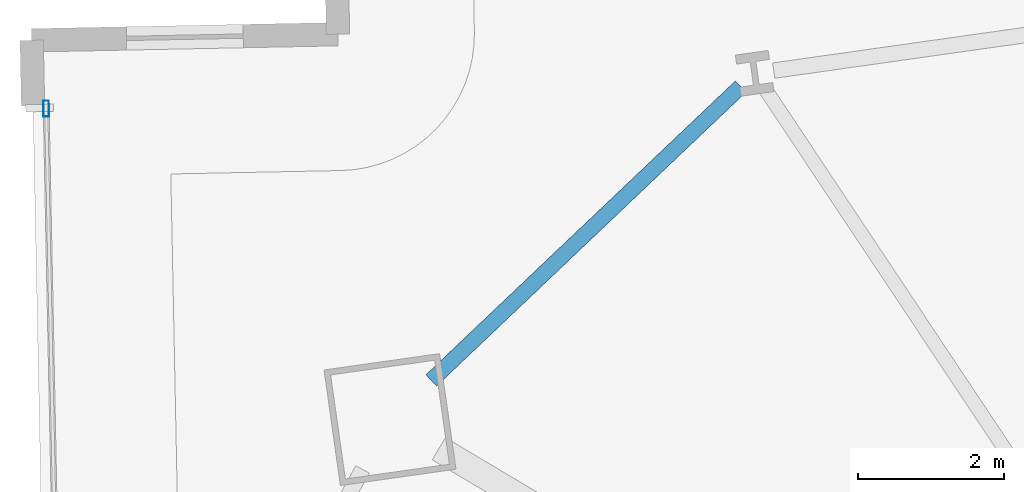
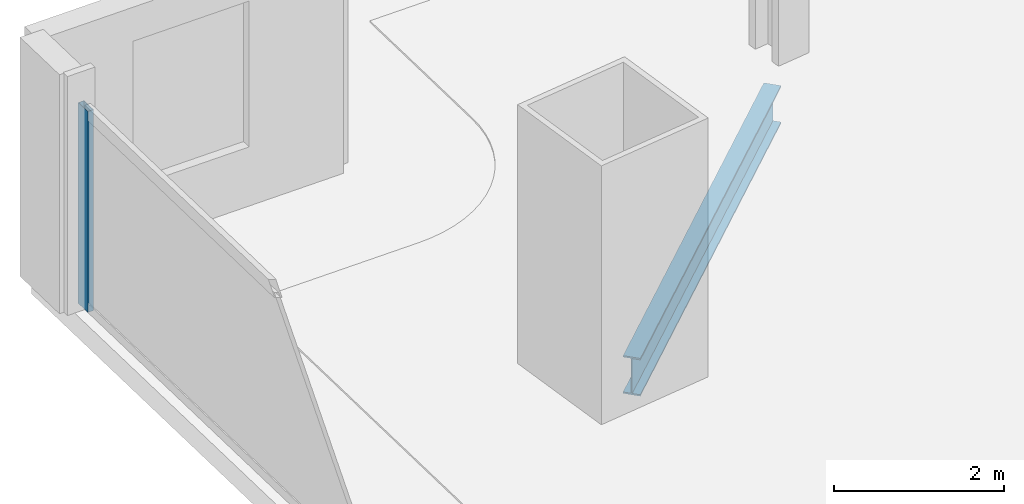
# One storey, part 18 of 35: 1 beam, 1 member, 1 element without a shape of its own.
"""IFC4 building model written with IfcOpenShell, lengths in metres."""

import ifcopenshell
import ifcopenshell.guid

model = None  # the IFC model being written
_history = None  # IfcOwnerHistory: only IFC2X3 demands one
_inside = {}  # id of a spatial element -> (the spatial element, [elements in it])
_under = {}  # id of a project, library or spatial element -> (it, [spatial elements below it])
_declared = {}  # id of a project -> (the project, [libraries it declares])
_typed = {}  # id of a type object -> (the type object, [elements of that type])
_made_of = {}  # id of a material, layer set ... -> (it, [elements and type objects made of it])


def new_model(schema):
    """Start an empty IFC model of exactly this schema.

    Asked for "IFC4X3", IfcOpenShell would pick the latest addendum, in which some entities
    have other attributes; the version numbers below select the first issue.
    IFC2X3 requires an IfcOwnerHistory on every rooted entity: one is made here for all.
    """
    global model, _history
    if schema == "IFC4X3":
        model = ifcopenshell.file(schema_version=(4, 3, 0, 0))
    else:
        model = ifcopenshell.file(schema=schema)
    _inside.clear()
    _under.clear()
    _declared.clear()
    _typed.clear()
    _made_of.clear()
    _history = None
    if model.schema == "IFC2X3":
        org = make("IfcOrganization", Name="unknown")
        user = make(
            "IfcPersonAndOrganization",
            ThePerson=make("IfcPerson", FamilyName="unknown"),
            TheOrganization=org,
        )
        app = make(
            "IfcApplication",
            ApplicationDeveloper=org,
            Version="unknown",
            ApplicationFullName="unknown",
            ApplicationIdentifier="unknown",
        )
        _history = make(
            "IfcOwnerHistory",
            OwningUser=user,
            OwningApplication=app,
            ChangeAction="ADDED",
            CreationDate=0,
        )
    return model


def make(cls, **values):
    """One entity of the class cls with the attributes given. An attribute that is None is left unset."""
    return model.create_entity(
        cls, **{name: value for name, value in values.items() if value is not None}
    )


def rooted(cls, **values):
    """An entity with a GlobalId (a new one), such as an element, a storey or a relation."""
    return make(cls, GlobalId=ifcopenshell.guid.new(), OwnerHistory=_history, **values)


def si_unit(unit_type, name, prefix=None):
    """IfcSIUnit, for example si_unit("LENGTHUNIT", "METRE", prefix="MILLI")."""
    return make("IfcSIUnit", UnitType=unit_type, Prefix=prefix, Name=name)


def assignment(units):
    """IfcUnitAssignment: the units of a project."""
    return None if units is None else make("IfcUnitAssignment", Units=units)


def point(xyz):
    """IfcCartesianPoint."""
    return None if xyz is None else make("IfcCartesianPoint", Coordinates=xyz)


def direction(xyz):
    """IfcDirection."""
    return None if xyz is None else make("IfcDirection", DirectionRatios=xyz)


def frame(location, z_axis=None, x_axis=None):
    """IfcAxis2Placement3D, a coordinate frame: its origin and axes. An axis left out is left unset."""
    return make(
        "IfcAxis2Placement3D",
        Location=point(location),
        Axis=direction(z_axis),
        RefDirection=direction(x_axis),
    )


def frame_2d(location, x_axis=None):
    """IfcAxis2Placement2D, a coordinate frame in the plane: its origin and x axis."""
    return make(
        "IfcAxis2Placement2D", Location=point(location), RefDirection=direction(x_axis)
    )


def origin():
    """The frame at (0, 0, 0) with its axes left unset."""
    return frame((0.0, 0.0, 0.0))


def origin_2d():
    """The frame at (0, 0) in the plane with its x axis left unset."""
    return frame_2d((0.0, 0.0))


def place(relative_to, where):
    """IfcLocalPlacement: puts the frame where relative to a parent placement (None: the world)."""
    return make(
        "IfcLocalPlacement", PlacementRelTo=relative_to, RelativePlacement=where
    )


def context(
    kind, dimensions, precision=None, world=None, true_north=None, identifier=None
):
    """IfcGeometricRepresentationContext, for example the 3D "Model" context."""
    return make(
        "IfcGeometricRepresentationContext",
        ContextIdentifier=identifier,
        ContextType=kind,
        CoordinateSpaceDimension=dimensions,
        Precision=precision,
        WorldCoordinateSystem=world,
        TrueNorth=true_north,
    )


def subcontext(parent, identifier, kind, view, scale=None):
    """IfcGeometricRepresentationSubContext, for example "Body" below "Model"."""
    return make(
        "IfcGeometricRepresentationSubContext",
        ContextIdentifier=identifier,
        ContextType=kind,
        ParentContext=parent,
        TargetScale=scale,
        TargetView=view,
    )


def project(units=None, contexts=None):
    """IfcProject with its units and contexts."""
    return rooted(
        "IfcProject",
        Name="project",
        RepresentationContexts=contexts,
        UnitsInContext=assignment(units),
    )


def spatial(cls, under=None, at=None, **own):
    """A site, building, storey or space (cls), placed at a placement, below another one or the project."""
    s = rooted(cls, ObjectPlacement=at, **own)
    if under is not None:
        _under.setdefault(under.id(), (under, []))[1].append(s)
    return s


def profile(cls, at=None, kind="AREA", **sizes):
    """A parametric profile (cls). Its sizes go by their IFC names, for example OverallWidth=200.0."""
    return make(cls, ProfileType=kind, Position=at, **sizes)


def hollow_rectangle(**sizes):
    """IfcRectangleHollowProfileDef."""
    return profile("IfcRectangleHollowProfileDef", **sizes)


def i_section(**sizes):
    """IfcIShapeProfileDef."""
    return profile("IfcIShapeProfileDef", **sizes)


def extrude(swept, where, along, depth):
    """IfcExtrudedAreaSolid: the profile swept, set in the frame where, extruded along a direction by depth."""
    return make(
        "IfcExtrudedAreaSolid",
        SweptArea=swept,
        Position=where,
        ExtrudedDirection=direction(along),
        Depth=depth,
    )


def shape(context_of_items, identifier, shape_type, items):
    """IfcShapeRepresentation: the items that make up one representation, for example the "Body"."""
    return make(
        "IfcShapeRepresentation",
        ContextOfItems=context_of_items,
        RepresentationIdentifier=identifier,
        RepresentationType=shape_type,
        Items=items,
    )


def material(Name=None, Category=None):
    """IfcMaterial."""
    return make("IfcMaterial", Name=Name, Category=Category)


def material_profile(
    of_material, cross_section, Name=None, Category=None, Priority=None
):
    """IfcMaterialProfile: a cross section and its material."""
    return make(
        "IfcMaterialProfile",
        Name=Name,
        Material=of_material,
        Profile=cross_section,
        Priority=Priority,
        Category=Category,
    )


def profile_set(profiles, Name=None, composite=None):
    """IfcMaterialProfileSet."""
    return make(
        "IfcMaterialProfileSet",
        Name=Name,
        MaterialProfiles=profiles,
        CompositeProfile=composite,
    )


def made_of(thing, what):
    """Note that an element or type object is made of a material, layer set ...; save() writes the relation."""
    if what is not None:
        _made_of.setdefault(what.id(), (what, []))[1].append(thing)
    return thing


def type_object(cls, material=None, **own):
    """A type object (cls), such as IfcWallType, which elements share."""
    return made_of(rooted(cls, **own), material)


def element(
    cls,
    number,
    at=None,
    inside=None,
    cuts=None,
    type_object=None,
    material=None,
    context=None,
    identifier="Body",
    shape_type=None,
    held_by="IfcProductDefinitionShape",
    body=None,
    shapes=None,
    **own,
):
    """One element of the class cls, such as IfcWall. Its Tag is "e" and its number.

    at: its placement. inside: the storey or other place that contains it. cuts: it is an
    opening in that element (IfcRelVoidsElement). A single representation is given by context,
    identifier, shape_type and body (its items); several are given by shapes. held_by: the class
    of the entity that holds the representations. save() writes the other relations.
    """
    e = rooted(cls, Tag="e%d" % number, ObjectPlacement=at, **own)
    if body is not None:
        shapes = [shape(context, identifier, shape_type, body)]
    if shapes is not None:
        e.Representation = make(held_by, Representations=shapes)
    if inside is not None:
        _inside.setdefault(inside.id(), (inside, []))[1].append(e)
    if cuts is not None:
        rooted(
            "IfcRelVoidsElement", RelatingBuildingElement=cuts, RelatedOpeningElement=e
        )
    if type_object is not None:
        _typed.setdefault(type_object.id(), (type_object, []))[1].append(e)
    return made_of(e, material)


def aggregate(whole, parts):
    """IfcRelAggregates: a whole, such as a stair, and the parts it consists of."""
    return rooted("IfcRelAggregates", RelatingObject=whole, RelatedObjects=parts)


def save(model, path):
    """Write the relations noted so far, then the file.

    IfcRelAggregates (storeys below a building ...), IfcRelContainedInSpatialStructure (elements
    in a storey), IfcRelDefinesByType, IfcRelAssociatesMaterial and IfcRelDeclares: one each for
    every whole, place, type object, material and project.
    """
    for whole, parts in _under.values():
        aggregate(whole, parts)
    for where, things in _inside.values():
        rooted(
            "IfcRelContainedInSpatialStructure",
            RelatedElements=things,
            RelatingStructure=where,
        )
    for kind, things in _typed.values():
        rooted("IfcRelDefinesByType", RelatedObjects=things, RelatingType=kind)
    for what, things in _made_of.values():
        rooted("IfcRelAssociatesMaterial", RelatedObjects=things, RelatingMaterial=what)
    for by, libraries in _declared.values():
        rooted("IfcRelDeclares", RelatingContext=by, RelatedDefinitions=libraries)
    model.write(path)


model = new_model("IFC4")

# Units and contexts
model_context = context("Model", 3, precision=1e-05, world=origin(), true_north=direction((0.0, 1.0)))
body_context = subcontext(model_context, "Body", "Model", "MODEL_VIEW")
ifc_project = project(units=[si_unit("LENGTHUNIT", "METRE"), si_unit("AREAUNIT", "SQUARE_METRE"), si_unit("VOLUMEUNIT", "CUBIC_METRE"), si_unit("PLANEANGLEUNIT", "RADIAN"), si_unit("MASSUNIT", "GRAM", prefix="KILO")], contexts=[model_context])

# Site, building, storey
site_placement = place(None, origin())
site = spatial("IfcSite", under=ifc_project, at=site_placement, CompositionType="ELEMENT")
building_placement = place(site_placement, origin())
building = spatial("IfcBuilding", under=site, at=building_placement, Name="Haldenkirk Collegiate Tower", CompositionType="ELEMENT")
storey_placement = place(building_placement, frame((0.0, 0.0, 32.699951171875)))
storey = spatial("IfcBuildingStorey", under=building, at=storey_placement, Name="L06", CompositionType="ELEMENT", Elevation=32.699951171875)

# Beam
ifc_material_1 = material(Name="Steel ASTM A992 Grade 50", Category="steel")
ifc_material_profile_1 = material_profile(ifc_material_1, i_section(OverallWidth=0.2119140625, OverallDepth=0.5439453125, WebThickness=0.01318359375, FlangeThickness=0.021240234375, at=origin_2d()), Name="W21X83")
ifc_profile_set_1 = profile_set([ifc_material_profile_1], Name="Steel ASTM A992 Grade 50")
beam_type = type_object("IfcBeamType", Name="BM-SPANDREL-W21X83", PredefinedType="SPANDREL", material=ifc_profile_set_1)
beam_placement = place(storey_placement, frame((18.28662109375, 46.619140625, -0.58203125), z_axis=(-0.725132817178, -0.688609030911, 0.0), x_axis=(0.688609030911, -0.725132817178, 0.0)))
element("IfcBeam", 1, at=beam_placement, inside=storey, type_object=beam_type, Name="L06 perimeter spandrel beam 12", PredefinedType="SPANDREL", context=body_context, shape_type="SweptSolid", body=[
    extrude(i_section(OverallWidth=0.2119140625, OverallDepth=0.5439453125, WebThickness=0.01318359375, FlangeThickness=0.021240234375, at=origin_2d()), origin(), (0.0, 0.0, 1.0), 5.848876953125),
])

# Curtain wall, member
ifc_material_2 = material(Name="Anodised architectural bronze aluminium", Category="aluminium")
curtain_wall_type = type_object("IfcCurtainWallType", Name="CW-SYS1-CONVEX-LOW", PredefinedType="USERDEFINED", material=ifc_material_2)
curtain_wall_placement = place(storey_placement, origin())
curtain_wall = element("IfcCurtainWall", 2, at=curtain_wall_placement, inside=storey, type_object=curtain_wall_type, Name="L06 Lower tower convex bronze-framed unitised curtain wall", ObjectType="UNITISED CURTAIN WALL", PredefinedType="USERDEFINED")
ifc_material_profile_2 = material_profile(ifc_material_2, hollow_rectangle(XDim=0.080078125, YDim=0.219970703125, WallThickness=0.0048828125, at=origin_2d()), Name="CW-MUL-1A")
ifc_profile_set_2 = profile_set([ifc_material_profile_2], Name="Anodised architectural bronze aluminium")
member_type = type_object("IfcMemberType", Name="CW-MUL-1A", PredefinedType="MULLION", material=ifc_profile_set_2)
member_placement = place(storey_placement, frame((8.766845703125, 46.317626953125, 0.0), z_axis=(0.0, 0.0, 1.0), x_axis=(-0.999798604983, -0.020068619127, 0.0)))
member = element("IfcMember", 3, at=member_placement, type_object=member_type, Name="CW-1A mullion 5", PredefinedType="MULLION", context=body_context, shape_type="SweptSolid", body=[
    extrude(hollow_rectangle(XDim=0.080078125, YDim=0.219970703125, WallThickness=0.0048828125, at=origin_2d()), origin(), (0.0, 0.0, 1.0), 2.89111328125),
])
aggregate(curtain_wall, [member])

save(model, "model.ifc")
